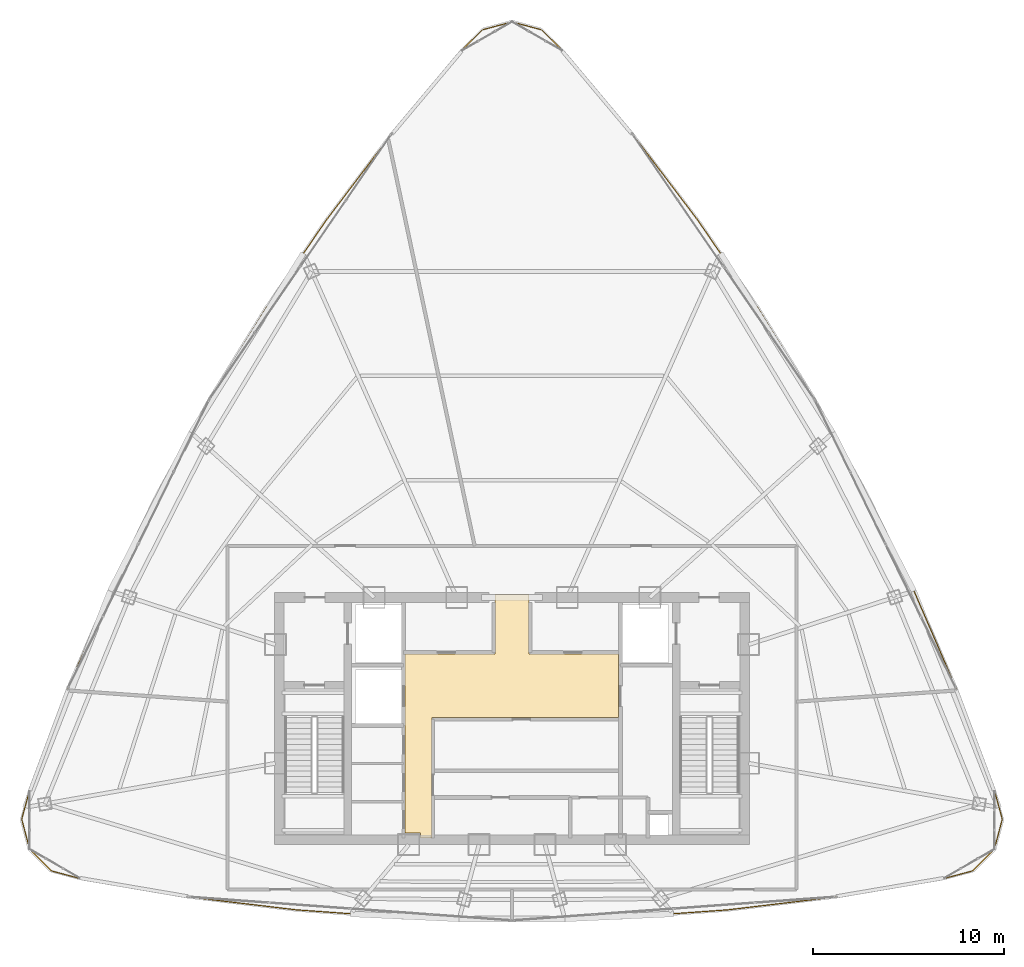
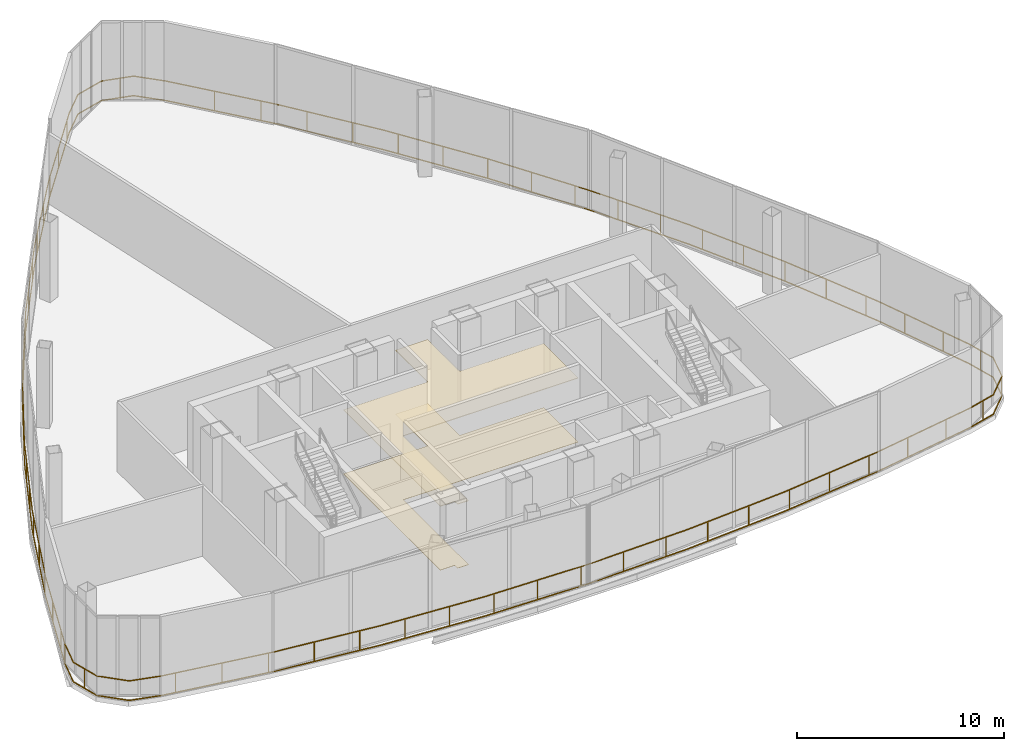
# One storey, part 32 of 33: 2 coverings, 2 railings.
"""IFC4 building model written with IfcOpenShell, lengths in metres."""

from ifc_helpers import new_model, si_unit, direction, frame, origin, origin_2d, place, context, subcontext, project, spatial, polyline, rectangle, outline, extrude, material, layer, layer_set, type_object, element, save


model = new_model("IFC4")

# Units and contexts
model_context = context("Model", 3, precision=1e-05, world=origin(), true_north=direction((0.0, 1.0)))
body_context = subcontext(model_context, "Body", "Model", "MODEL_VIEW")
ifc_project = project(units=[si_unit("LENGTHUNIT", "METRE"), si_unit("AREAUNIT", "SQUARE_METRE"), si_unit("VOLUMEUNIT", "CUBIC_METRE"), si_unit("PLANEANGLEUNIT", "RADIAN"), si_unit("MASSUNIT", "GRAM", prefix="KILO"), si_unit("THERMODYNAMICTEMPERATUREUNIT", "KELVIN"), si_unit("POWERUNIT", "WATT")], contexts=[model_context])

# Site, building, storey
site_placement = place(None, origin())
site = spatial("IfcSite", under=ifc_project, at=site_placement, CompositionType="ELEMENT")
building_placement = place(site_placement, origin())
building = spatial("IfcBuilding", under=site, at=building_placement, Name="Yunzhuo Pagoda Commons", CompositionType="ELEMENT")
storey_placement = place(building_placement, frame((0.0, 0.0, 391.760009765625)))
storey = spatial("IfcBuildingStorey", under=building, at=storey_placement, Name="L97", CompositionType="ELEMENT", Elevation=391.760009765625)

# Coverings
ifc_material_1 = material(Name="Micro-perforated metal baffle ceiling")
ifc_layer_1 = layer(ifc_material_1, 0.034912109375)
ifc_layer_set_1 = layer_set([ifc_layer_1], Name="Micro-perforated metal baffle ceiling")
covering_type_1 = type_object("IfcCoveringType", Name="COV-CL3 Ceiling 35", PredefinedType="CEILING", material=ifc_layer_set_1)
covering_1_placement = place(storey_placement, frame((0.0, 0.0, 3.77001953125)))
element("IfcCovering", 1, at=covering_1_placement, inside=storey, type_object=covering_type_1, Name="L97 lift lobby acoustic ceiling", PredefinedType="CEILING", context=body_context, shape_type="SweptSolid", body=[
    extrude(outline(polyline([(43.207763671875, 27.85009765625), (43.201904296875, 27.864013671875), (43.187744140625, 27.8701171875), (42.39990234375, 27.8701171875), (42.39990234375, 33.89990234375), (42.39990234375, 37.25), (47.10009765625, 37.25), (47.10009765625, 40.35009765625), (48.89990234375, 40.35009765625), (48.89990234375, 37.25), (53.580078125, 37.25), (53.580078125, 33.89990234375), (43.820068359375, 33.89990234375), (43.820068359375, 27.60009765625), (43.207763671875, 27.60009765625), (43.207763671875, 27.85009765625)])), origin(), (0.0, 0.0, 1.0), 0.034912109375),
])
ifc_material_2 = material(Name="Resilient acoustic studio flooring")
ifc_layer_2 = layer(ifc_material_2, 0.01806640625)
ifc_layer_set_2 = layer_set([ifc_layer_2], Name="Resilient acoustic studio flooring")
covering_type_2 = type_object("IfcCoveringType", Name="COV-FL3 Flooring 18", PredefinedType="FLOORING", material=ifc_layer_set_2)
covering_2_placement = place(storey_placement, origin())
element("IfcCovering", 2, at=covering_2_placement, inside=storey, type_object=covering_type_2, Name="L97 lift lobby flooring", PredefinedType="FLOORING", context=body_context, shape_type="SweptSolid", body=[
    extrude(outline(polyline([(43.207763671875, 27.85009765625), (43.201904296875, 27.864013671875), (43.187744140625, 27.8701171875), (42.39990234375, 27.8701171875), (42.39990234375, 33.89990234375), (42.39990234375, 37.25), (47.10009765625, 37.25), (47.10009765625, 40.35009765625), (48.89990234375, 40.35009765625), (48.89990234375, 37.25), (53.580078125, 37.25), (53.580078125, 33.89990234375), (43.820068359375, 33.89990234375), (43.820068359375, 27.60009765625), (43.207763671875, 27.60009765625), (43.207763671875, 27.85009765625)])), origin(), (0.0, 0.0, 1.0), 0.01806640625),
])

# Railings
ifc_material_3 = material(Name="Anodized aluminium 6063-T6", Category="aluminium")
railing_type = type_object("IfcRailingType", Name="RL-PRT1 Wind Portal & Refuge Guardrail 1200", PredefinedType="GUARDRAIL", material=ifc_material_3)
railing_1_placement = place(storey_placement, frame((22.740234375, 30.14990234375, 0.0)))
element("IfcRailing", 3, at=railing_1_placement, inside=storey, type_object=railing_type, Name="L97 crown drum perimeter guardrail A", PredefinedType="GUARDRAIL", context=body_context, shape_type="SweptSolid", body=[
    extrude(rectangle(XDim=0.048095703125, YDim=0.048095703125, at=origin_2d()), frame((0.0, 0.0, 1.17578125), z_axis=(-0.264505611158, -0.964384146316, 0.0), x_axis=(0.964384146316, -0.264505611158, 0.0)), (0.0, 0.0, 1.0), 1.621826171875),
    extrude(rectangle(XDim=0.048095703125, YDim=0.048095703125, at=origin_2d()), frame((0.0, 0.0, 0.02392578125), z_axis=(-0.264505611158, -0.964384146316, 0.0), x_axis=(0.964384146316, -0.264505611158, 0.0)), (0.0, 0.0, 1.0), 1.621826171875),
    extrude(rectangle(XDim=0.048095703125, YDim=0.048095703125, at=origin_2d()), frame((-0.428955078125, -1.56396484375, 1.17578125), z_axis=(0.255212982377, -0.966884860584, 0.0), x_axis=(0.966884860584, 0.255212982377, 0.0)), (0.0, 0.0, 1.0), 1.61962890625),
    extrude(rectangle(XDim=0.048095703125, YDim=0.048095703125, at=origin_2d()), frame((-0.428955078125, -1.56396484375, 0.02392578125), z_axis=(0.255212982377, -0.966884860584, 0.0), x_axis=(0.966884860584, 0.255212982377, 0.0)), (0.0, 0.0, 1.0), 1.61962890625),
    extrude(rectangle(XDim=0.048095703125, YDim=0.048095703125, at=origin_2d()), frame((-0.015625, -3.1298828125, 1.17578125), z_axis=(0.706428067739, -0.707784843798, 0.0), x_axis=(0.707784843798, 0.706428067739, 0.0)), (0.0, 0.0, 1.0), 1.619384765625),
    extrude(rectangle(XDim=0.048095703125, YDim=0.048095703125, at=origin_2d()), frame((-0.015625, -3.1298828125, 0.02392578125), z_axis=(0.706428067739, -0.707784843798, 0.0), x_axis=(0.707784843798, 0.706428067739, 0.0)), (0.0, 0.0, 1.0), 1.619384765625),
    extrude(rectangle(XDim=0.048095703125, YDim=0.048095703125, at=origin_2d()), frame((1.12841796875, -4.276123046875, 1.17578125), z_axis=(0.966204944096, -0.257775107417, 0.0), x_axis=(0.257775107417, 0.966204944096, 0.0)), (0.0, 0.0, 1.0), 1.621337890625),
    extrude(rectangle(XDim=0.048095703125, YDim=0.048095703125, at=origin_2d()), frame((1.12841796875, -4.276123046875, 0.02392578125), z_axis=(0.966204944096, -0.257775107417, 0.0), x_axis=(0.257775107417, 0.966204944096, 0.0)), (0.0, 0.0, 1.0), 1.621337890625),
    extrude(rectangle(XDim=0.048095703125, YDim=0.048095703125, at=origin_2d()), frame((2.695068359375, -4.694091796875, 1.17578125), z_axis=(0.986119654953, -0.166036219285, 0.0), x_axis=(0.166036219285, 0.986119654953, 0.0)), (0.0, 0.0, 1.0), 5.730224609375),
    extrude(rectangle(XDim=0.048095703125, YDim=0.048095703125, at=origin_2d()), frame((2.695068359375, -4.694091796875, 0.02392578125), z_axis=(0.986119654953, -0.166036219285, 0.0), x_axis=(0.166036219285, 0.986119654953, 0.0)), (0.0, 0.0, 1.0), 5.730224609375),
    extrude(rectangle(XDim=0.048095703125, YDim=0.048095703125, at=origin_2d()), frame((8.345703125, -5.6455078125, 1.17578125), z_axis=(0.992925120312, -0.1187421806, 0.0), x_axis=(0.1187421806, 0.992925120312, 0.0)), (0.0, 0.0, 1.0), 5.68505859375),
    extrude(rectangle(XDim=0.048095703125, YDim=0.048095703125, at=origin_2d()), frame((8.345703125, -5.6455078125, 0.02392578125), z_axis=(0.992925120312, -0.1187421806, 0.0), x_axis=(0.1187421806, 0.992925120312, 0.0)), (0.0, 0.0, 1.0), 5.68505859375),
    extrude(rectangle(XDim=0.048095703125, YDim=0.048095703125, at=origin_2d()), frame((13.990478515625, -6.320556640625, 1.17578125), z_axis=(0.997465930761, -0.071145744574, 0.0), x_axis=(0.071145744574, 0.997465930761, 0.0)), (0.0, 0.0, 1.0), 5.65185546875),
    extrude(rectangle(XDim=0.048095703125, YDim=0.048095703125, at=origin_2d()), frame((13.990478515625, -6.320556640625, 0.02392578125), z_axis=(0.997465930761, -0.071145744574, 0.0), x_axis=(0.071145744574, 0.997465930761, 0.0)), (0.0, 0.0, 1.0), 5.65185546875),
    extrude(rectangle(XDim=0.048095703125, YDim=0.048095703125, at=origin_2d()), frame((19.6279296875, -6.72265625, 1.17578125), z_axis=(0.999720003261, -0.023662524787, 0.0), x_axis=(0.023662524787, 0.999720003261, 0.0)), (0.0, 0.0, 1.0), 5.63330078125),
    extrude(rectangle(XDim=0.048095703125, YDim=0.048095703125, at=origin_2d()), frame((19.6279296875, -6.72265625, 0.02392578125), z_axis=(0.999720003261, -0.023662524787, 0.0), x_axis=(0.023662524787, 0.999720003261, 0.0)), (0.0, 0.0, 1.0), 5.63330078125),
    extrude(rectangle(XDim=0.048095703125, YDim=0.048095703125, at=origin_2d()), frame((25.259765625, -6.85595703125, 1.17578125), z_axis=(0.999719978994, 0.02366355003, 0.0), x_axis=(-0.02366355003, 0.999719978994, 0.0)), (0.0, 0.0, 1.0), 5.633056640625),
    extrude(rectangle(XDim=0.048095703125, YDim=0.048095703125, at=origin_2d()), frame((25.259765625, -6.85595703125, 0.02392578125), z_axis=(0.999719978994, 0.02366355003, 0.0), x_axis=(-0.02366355003, 0.999719978994, 0.0)), (0.0, 0.0, 1.0), 5.633056640625),
    extrude(rectangle(XDim=0.048095703125, YDim=0.048095703125, at=origin_2d()), frame((30.891357421875, -6.72265625, 1.17578125), z_axis=(0.997466149399, 0.071142679199, 0.0), x_axis=(-0.071142679199, 0.997466149399, 0.0)), (0.0, 0.0, 1.0), 5.652099609375),
    extrude(rectangle(XDim=0.048095703125, YDim=0.048095703125, at=origin_2d()), frame((30.891357421875, -6.72265625, 0.02392578125), z_axis=(0.997466149399, 0.071142679199, 0.0), x_axis=(-0.071142679199, 0.997466149399, 0.0)), (0.0, 0.0, 1.0), 5.652099609375),
    extrude(rectangle(XDim=0.048095703125, YDim=0.048095703125, at=origin_2d()), frame((36.529052734375, -6.320556640625, 1.17578125), z_axis=(0.992925120312, 0.1187421806, 0.0), x_axis=(-0.1187421806, 0.992925120312, 0.0)), (0.0, 0.0, 1.0), 5.68505859375),
    extrude(rectangle(XDim=0.048095703125, YDim=0.048095703125, at=origin_2d()), frame((36.529052734375, -6.320556640625, 0.02392578125), z_axis=(0.992925120312, 0.1187421806, 0.0), x_axis=(-0.1187421806, 0.992925120312, 0.0)), (0.0, 0.0, 1.0), 5.68505859375),
    extrude(rectangle(XDim=0.048095703125, YDim=0.048095703125, at=origin_2d()), frame((42.173828125, -5.6455078125, 1.17578125), z_axis=(0.986119654953, 0.166036219285, 0.0), x_axis=(-0.166036219285, 0.986119654953, 0.0)), (0.0, 0.0, 1.0), 5.730224609375),
    extrude(rectangle(XDim=0.048095703125, YDim=0.048095703125, at=origin_2d()), frame((42.173828125, -5.6455078125, 0.02392578125), z_axis=(0.986119654953, 0.166036219285, 0.0), x_axis=(-0.166036219285, 0.986119654953, 0.0)), (0.0, 0.0, 1.0), 5.730224609375),
    extrude(rectangle(XDim=0.048095703125, YDim=0.048095703125, at=origin_2d()), frame((47.824462890625, -4.694091796875, 1.17578125), z_axis=(0.966204944096, 0.257775107417, 0.0), x_axis=(-0.257775107417, 0.966204944096, 0.0)), (0.0, 0.0, 1.0), 1.621337890625),
    extrude(rectangle(XDim=0.048095703125, YDim=0.048095703125, at=origin_2d()), frame((47.824462890625, -4.694091796875, 0.02392578125), z_axis=(0.966204944096, 0.257775107417, 0.0), x_axis=(-0.257775107417, 0.966204944096, 0.0)), (0.0, 0.0, 1.0), 1.621337890625),
    extrude(rectangle(XDim=0.048095703125, YDim=0.048095703125, at=origin_2d()), frame((49.39111328125, -4.276123046875, 1.17578125), z_axis=(0.706428067739, 0.707784843798, 0.0), x_axis=(-0.707784843798, 0.706428067739, 0.0)), (0.0, 0.0, 1.0), 1.619384765625),
    extrude(rectangle(XDim=0.048095703125, YDim=0.048095703125, at=origin_2d()), frame((49.39111328125, -4.276123046875, 0.02392578125), z_axis=(0.706428067739, 0.707784843798, 0.0), x_axis=(-0.707784843798, 0.706428067739, 0.0)), (0.0, 0.0, 1.0), 1.619384765625),
    extrude(rectangle(XDim=0.048095703125, YDim=0.048095703125, at=origin_2d()), frame((50.53515625, -3.1298828125, 1.17578125), z_axis=(0.255212982377, 0.966884860584, 0.0), x_axis=(-0.966884860584, 0.255212982377, 0.0)), (0.0, 0.0, 1.0), 1.61962890625),
    extrude(rectangle(XDim=0.048095703125, YDim=0.048095703125, at=origin_2d()), frame((50.53515625, -3.1298828125, 0.02392578125), z_axis=(0.255212982377, 0.966884860584, 0.0), x_axis=(-0.966884860584, 0.255212982377, 0.0)), (0.0, 0.0, 1.0), 1.61962890625),
    extrude(rectangle(XDim=0.048095703125, YDim=0.048095703125, at=origin_2d()), frame((50.948486328125, -1.56396484375, 1.17578125), z_axis=(-0.264505611158, 0.964384146316, 0.0), x_axis=(-0.964384146316, -0.264505611158, 0.0)), (0.0, 0.0, 1.0), 1.621826171875),
    extrude(rectangle(XDim=0.048095703125, YDim=0.048095703125, at=origin_2d()), frame((50.948486328125, -1.56396484375, 0.02392578125), z_axis=(-0.264505611158, 0.964384146316, 0.0), x_axis=(-0.964384146316, -0.264505611158, 0.0)), (0.0, 0.0, 1.0), 1.621826171875),
    extrude(rectangle(XDim=0.048095703125, YDim=0.048095703125, at=origin_2d()), frame((50.51953125, 0.0, 1.17578125), z_axis=(-0.352445708471, 0.935832261989, 0.0), x_axis=(-0.935832261989, -0.352445708471, 0.0)), (0.0, 0.0, 1.0), 5.684326171875),
    extrude(rectangle(XDim=0.048095703125, YDim=0.048095703125, at=origin_2d()), frame((50.51953125, 0.0, 0.02392578125), z_axis=(-0.352445708471, 0.935832261989, 0.0), x_axis=(-0.935832261989, -0.352445708471, 0.0)), (0.0, 0.0, 1.0), 5.684326171875),
    extrude(rectangle(XDim=0.048095703125, YDim=0.048095703125, at=origin_2d()), frame((48.51611328125, 5.319580078125, 1.17578125), z_axis=(-0.397088580281, 0.917780289291, 0.0), x_axis=(-0.917780289291, -0.397088580281, 0.0)), (0.0, 0.0, 1.0), 5.63916015625),
    extrude(rectangle(XDim=0.048095703125, YDim=0.048095703125, at=origin_2d()), frame((48.51611328125, 5.319580078125, 0.02392578125), z_axis=(-0.397088580281, 0.917780289291, 0.0), x_axis=(-0.917780289291, -0.397088580281, 0.0)), (0.0, 0.0, 1.0), 5.63916015625),
    extrude(rectangle(XDim=0.0419921875, YDim=0.0419921875, at=origin_2d()), origin(), (0.0, 0.0, 1.0), 1.15185546875),
    extrude(rectangle(XDim=0.0419921875, YDim=0.0419921875, at=origin_2d()), frame((-0.230224609375, -2.31640625, 0.0)), (0.0, 0.0, 1.0), 1.15185546875),
    extrude(rectangle(XDim=0.0419921875, YDim=0.0419921875, at=origin_2d()), frame((3.40283203125, -4.813232421875, 0.0)), (0.0, 0.0, 1.0), 1.15185546875),
    extrude(rectangle(XDim=0.0419921875, YDim=0.0419921875, at=origin_2d()), frame((5.76953125, -5.211669921875, 0.0)), (0.0, 0.0, 1.0), 1.15185546875),
    extrude(rectangle(XDim=0.0419921875, YDim=0.0419921875, at=origin_2d()), frame((8.13623046875, -5.6103515625, 0.0)), (0.0, 0.0, 1.0), 1.15185546875),
    extrude(rectangle(XDim=0.0419921875, YDim=0.0419921875, at=origin_2d()), frame((10.517822265625, -5.9052734375, 0.0)), (0.0, 0.0, 1.0), 1.15185546875),
    extrude(rectangle(XDim=0.0419921875, YDim=0.0419921875, at=origin_2d()), frame((12.90087890625, -6.190185546875, 0.0)), (0.0, 0.0, 1.0), 1.15185546875),
    extrude(rectangle(XDim=0.0419921875, YDim=0.0419921875, at=origin_2d()), frame((15.289794921875, -6.413330078125, 0.0)), (0.0, 0.0, 1.0), 1.15185546875),
    extrude(rectangle(XDim=0.0419921875, YDim=0.0419921875, at=origin_2d()), frame((17.683837890625, -6.583984375, 0.0)), (0.0, 0.0, 1.0), 1.15185546875),
    extrude(rectangle(XDim=0.0419921875, YDim=0.0419921875, at=origin_2d()), frame((20.07861328125, -6.7333984375, 0.0)), (0.0, 0.0, 1.0), 1.15185546875),
    extrude(rectangle(XDim=0.0419921875, YDim=0.0419921875, at=origin_2d()), frame((22.47802734375, -6.7900390625, 0.0)), (0.0, 0.0, 1.0), 1.15185546875),
    extrude(rectangle(XDim=0.0419921875, YDim=0.0419921875, at=origin_2d()), frame((24.87744140625, -6.846923828125, 0.0)), (0.0, 0.0, 1.0), 1.15185546875),
    extrude(rectangle(XDim=0.0419921875, YDim=0.0419921875, at=origin_2d()), frame((27.276611328125, -6.80810546875, 0.0)), (0.0, 0.0, 1.0), 1.15185546875),
    extrude(rectangle(XDim=0.0419921875, YDim=0.0419921875, at=origin_2d()), frame((29.676025390625, -6.75146484375, 0.0)), (0.0, 0.0, 1.0), 1.15185546875),
    extrude(rectangle(XDim=0.0419921875, YDim=0.0419921875, at=origin_2d()), frame((32.07275390625, -6.638427734375, 0.0)), (0.0, 0.0, 1.0), 1.15185546875),
    extrude(rectangle(XDim=0.0419921875, YDim=0.0419921875, at=origin_2d()), frame((34.466552734375, -6.4677734375, 0.0)), (0.0, 0.0, 1.0), 1.15185546875),
    extrude(rectangle(XDim=0.0419921875, YDim=0.0419921875, at=origin_2d()), frame((36.85888671875, -6.281005859375, 0.0)), (0.0, 0.0, 1.0), 1.15185546875),
    extrude(rectangle(XDim=0.0419921875, YDim=0.0419921875, at=origin_2d()), frame((39.241943359375, -5.99609375, 0.0)), (0.0, 0.0, 1.0), 1.15185546875),
    extrude(rectangle(XDim=0.0419921875, YDim=0.0419921875, at=origin_2d()), frame((41.625, -5.711181640625, 0.0)), (0.0, 0.0, 1.0), 1.15185546875),
    extrude(rectangle(XDim=0.0419921875, YDim=0.0419921875, at=origin_2d()), frame((43.995361328125, -5.3388671875, 0.0)), (0.0, 0.0, 1.0), 1.15185546875),
    extrude(rectangle(XDim=0.0419921875, YDim=0.0419921875, at=origin_2d()), frame((46.362060546875, -4.940185546875, 0.0)), (0.0, 0.0, 1.0), 1.15185546875),
    extrude(rectangle(XDim=0.0419921875, YDim=0.0419921875, at=origin_2d()), frame((48.71044921875, -4.457763671875, 0.0)), (0.0, 0.0, 1.0), 1.15185546875),
    extrude(rectangle(XDim=0.0419921875, YDim=0.0419921875, at=origin_2d()), frame((50.5546875, -3.05615234375, 0.0)), (0.0, 0.0, 1.0), 1.15185546875),
    extrude(rectangle(XDim=0.0419921875, YDim=0.0419921875, at=origin_2d()), frame((50.721923828125, -0.73779296875, 0.0)), (0.0, 0.0, 1.0), 1.15185546875),
    extrude(rectangle(XDim=0.0419921875, YDim=0.0419921875, at=origin_2d()), frame((49.943359375, 1.530029296875, 0.0)), (0.0, 0.0, 1.0), 1.15185546875),
    extrude(rectangle(XDim=0.0419921875, YDim=0.0419921875, at=origin_2d()), frame((49.097412109375, 3.77587890625, 0.0)), (0.0, 0.0, 1.0), 1.15185546875),
    extrude(rectangle(XDim=0.0419921875, YDim=0.0419921875, at=origin_2d()), frame((48.218017578125, 6.008544921875, 0.0)), (0.0, 0.0, 1.0), 1.15185546875),
    extrude(rectangle(XDim=0.0419921875, YDim=0.0419921875, at=origin_2d()), frame((47.26513671875, 8.211181640625, 0.0)), (0.0, 0.0, 1.0), 1.15185546875),
    extrude(rectangle(XDim=0.0419921875, YDim=0.0419921875, at=origin_2d()), frame((46.27685546875, 10.4951171875, 0.0)), (0.0, 0.0, 1.0), 1.15185546875),
])
railing_2_placement = place(storey_placement, frame((69.01708984375, 40.64501953125, 0.0)))
element("IfcRailing", 4, at=railing_2_placement, inside=storey, type_object=railing_type, Name="L97 crown drum perimeter guardrail B", PredefinedType="GUARDRAIL", context=body_context, shape_type="SweptSolid", body=[
    extrude(rectangle(XDim=0.048095703125, YDim=0.048095703125, at=origin_2d()), frame((0.0, 0.0, 1.17578125), z_axis=(-0.440861408543, 0.897575188192, 0.0), x_axis=(-0.897575188192, -0.440861408543, 0.0)), (0.0, 0.0, 1.0), 5.60595703125),
    extrude(rectangle(XDim=0.048095703125, YDim=0.048095703125, at=origin_2d()), frame((0.0, 0.0, 0.02392578125), z_axis=(-0.440861408543, 0.897575188192, 0.0), x_axis=(-0.897575188192, -0.440861408543, 0.0)), (0.0, 0.0, 1.0), 5.60595703125),
    extrude(rectangle(XDim=0.048095703125, YDim=0.048095703125, at=origin_2d()), frame((-2.471435546875, 5.03173828125, 1.17578125), z_axis=(-0.483404209544, 0.875397264215, 0.0), x_axis=(-0.875397264215, -0.483404209544, 0.0)), (0.0, 0.0, 1.0), 5.58740234375),
    extrude(rectangle(XDim=0.048095703125, YDim=0.048095703125, at=origin_2d()), frame((-2.471435546875, 5.03173828125, 0.02392578125), z_axis=(-0.483404209544, 0.875397264215, 0.0), x_axis=(-0.875397264215, -0.483404209544, 0.0)), (0.0, 0.0, 1.0), 5.58740234375),
    extrude(rectangle(XDim=0.048095703125, YDim=0.048095703125, at=origin_2d()), frame((-5.17236328125, 9.9228515625, 1.17578125), z_axis=(-0.524619058666, 0.851337091453, 0.0), x_axis=(-0.851337091453, -0.524619058666, 0.0)), (0.0, 0.0, 1.0), 5.587158203125),
    extrude(rectangle(XDim=0.048095703125, YDim=0.048095703125, at=origin_2d()), frame((-5.17236328125, 9.9228515625, 0.02392578125), z_axis=(-0.524619058666, 0.851337091453, 0.0), x_axis=(-0.851337091453, -0.524619058666, 0.0)), (0.0, 0.0, 1.0), 5.587158203125),
    extrude(rectangle(XDim=0.048095703125, YDim=0.048095703125, at=origin_2d()), frame((-8.103515625, 14.679443359375, 1.17578125), z_axis=(-0.56484003921, 0.825200418144, 0.0), x_axis=(-0.825200418144, -0.56484003921, 0.0)), (0.0, 0.0, 1.0), 5.60546875),
    extrude(rectangle(XDim=0.048095703125, YDim=0.048095703125, at=origin_2d()), frame((-8.103515625, 14.679443359375, 0.02392578125), z_axis=(-0.56484003921, 0.825200418144, 0.0), x_axis=(-0.825200418144, -0.56484003921, 0.0)), (0.0, 0.0, 1.0), 5.60546875),
    extrude(rectangle(XDim=0.048095703125, YDim=0.048095703125, at=origin_2d()), frame((-11.269775390625, 19.30517578125, 1.17578125), z_axis=(-0.603934375004, 0.797034046129, 0.0), x_axis=(-0.797034046129, -0.603934375004, 0.0)), (0.0, 0.0, 1.0), 5.638916015625),
    extrude(rectangle(XDim=0.048095703125, YDim=0.048095703125, at=origin_2d()), frame((-11.269775390625, 19.30517578125, 0.02392578125), z_axis=(-0.603934375004, 0.797034046129, 0.0), x_axis=(-0.797034046129, -0.603934375004, 0.0)), (0.0, 0.0, 1.0), 5.638916015625),
    extrude(rectangle(XDim=0.048095703125, YDim=0.048095703125, at=origin_2d()), frame((-14.67529296875, 23.799560546875, 1.17578125), z_axis=(-0.64156485009, 0.767068799475, 0.0), x_axis=(-0.767068799475, -0.64156485009, 0.0)), (0.0, 0.0, 1.0), 5.68408203125),
    extrude(rectangle(XDim=0.048095703125, YDim=0.048095703125, at=origin_2d()), frame((-14.67529296875, 23.799560546875, 0.02392578125), z_axis=(-0.64156485009, 0.767068799475, 0.0), x_axis=(-0.767068799475, -0.64156485009, 0.0)), (0.0, 0.0, 1.0), 5.68408203125),
    extrude(rectangle(XDim=0.048095703125, YDim=0.048095703125, at=origin_2d()), frame((-18.322021484375, 28.15966796875, 1.17578125), z_axis=(-0.708469655856, 0.70574127464, 0.0), x_axis=(-0.70574127464, -0.708469655856, 0.0)), (0.0, 0.0, 1.0), 1.610595703125),
    extrude(rectangle(XDim=0.048095703125, YDim=0.048095703125, at=origin_2d()), frame((-18.322021484375, 28.15966796875, 0.02392578125), z_axis=(-0.708469655856, 0.70574127464, 0.0), x_axis=(-0.70574127464, -0.708469655856, 0.0)), (0.0, 0.0, 1.0), 1.610595703125),
    extrude(rectangle(XDim=0.048095703125, YDim=0.048095703125, at=origin_2d()), frame((-19.463134765625, 29.29638671875, 1.17578125), z_axis=(-0.965982586194, 0.258607121268, 0.0), x_axis=(-0.258607121268, -0.965982586194, 0.0)), (0.0, 0.0, 1.0), 1.608642578125),
    extrude(rectangle(XDim=0.048095703125, YDim=0.048095703125, at=origin_2d()), frame((-19.463134765625, 29.29638671875, 0.02392578125), z_axis=(-0.965982586194, 0.258607121268, 0.0), x_axis=(-0.258607121268, -0.965982586194, 0.0)), (0.0, 0.0, 1.0), 1.608642578125),
    extrude(rectangle(XDim=0.048095703125, YDim=0.048095703125, at=origin_2d()), frame((-21.01708984375, 29.71240234375, 1.17578125), z_axis=(-0.965982586194, -0.258607121268, 0.0), x_axis=(0.258607121268, -0.965982586194, 0.0)), (0.0, 0.0, 1.0), 1.608642578125),
    extrude(rectangle(XDim=0.048095703125, YDim=0.048095703125, at=origin_2d()), frame((-21.01708984375, 29.71240234375, 0.02392578125), z_axis=(-0.965982586194, -0.258607121268, 0.0), x_axis=(0.258607121268, -0.965982586194, 0.0)), (0.0, 0.0, 1.0), 1.608642578125),
    extrude(rectangle(XDim=0.048095703125, YDim=0.048095703125, at=origin_2d()), frame((-22.571044921875, 29.29638671875, 1.17578125), z_axis=(-0.708469655856, -0.70574127464, 0.0), x_axis=(0.70574127464, -0.708469655856, 0.0)), (0.0, 0.0, 1.0), 1.610595703125),
    extrude(rectangle(XDim=0.048095703125, YDim=0.048095703125, at=origin_2d()), frame((-22.571044921875, 29.29638671875, 0.02392578125), z_axis=(-0.708469655856, -0.70574127464, 0.0), x_axis=(0.70574127464, -0.708469655856, 0.0)), (0.0, 0.0, 1.0), 1.610595703125),
    extrude(rectangle(XDim=0.048095703125, YDim=0.048095703125, at=origin_2d()), frame((-23.712158203125, 28.15966796875, 1.17578125), z_axis=(-0.64156485009, -0.767068799475, 0.0), x_axis=(0.767068799475, -0.64156485009, 0.0)), (0.0, 0.0, 1.0), 5.68408203125),
    extrude(rectangle(XDim=0.048095703125, YDim=0.048095703125, at=origin_2d()), frame((-23.712158203125, 28.15966796875, 0.02392578125), z_axis=(-0.64156485009, -0.767068799475, 0.0), x_axis=(0.767068799475, -0.64156485009, 0.0)), (0.0, 0.0, 1.0), 5.68408203125),
    extrude(rectangle(XDim=0.048095703125, YDim=0.048095703125, at=origin_2d()), frame((-27.35888671875, 23.799560546875, 1.17578125), z_axis=(-0.603934375004, -0.797034046129, 0.0), x_axis=(0.797034046129, -0.603934375004, 0.0)), (0.0, 0.0, 1.0), 5.638916015625),
    extrude(rectangle(XDim=0.048095703125, YDim=0.048095703125, at=origin_2d()), frame((-27.35888671875, 23.799560546875, 0.02392578125), z_axis=(-0.603934375004, -0.797034046129, 0.0), x_axis=(0.797034046129, -0.603934375004, 0.0)), (0.0, 0.0, 1.0), 5.638916015625),
    extrude(rectangle(XDim=0.048095703125, YDim=0.048095703125, at=origin_2d()), frame((-30.764404296875, 19.30517578125, 1.17578125), z_axis=(-0.56484003921, -0.825200418144, 0.0), x_axis=(0.825200418144, -0.56484003921, 0.0)), (0.0, 0.0, 1.0), 5.60546875),
    extrude(rectangle(XDim=0.048095703125, YDim=0.048095703125, at=origin_2d()), frame((-30.764404296875, 19.30517578125, 0.02392578125), z_axis=(-0.56484003921, -0.825200418144, 0.0), x_axis=(0.825200418144, -0.56484003921, 0.0)), (0.0, 0.0, 1.0), 5.60546875),
    extrude(rectangle(XDim=0.048095703125, YDim=0.048095703125, at=origin_2d()), frame((-33.9306640625, 14.679443359375, 1.17578125), z_axis=(-0.524619058666, -0.851337091453, 0.0), x_axis=(0.851337091453, -0.524619058666, 0.0)), (0.0, 0.0, 1.0), 5.587158203125),
    extrude(rectangle(XDim=0.048095703125, YDim=0.048095703125, at=origin_2d()), frame((-33.9306640625, 14.679443359375, 0.02392578125), z_axis=(-0.524619058666, -0.851337091453, 0.0), x_axis=(0.851337091453, -0.524619058666, 0.0)), (0.0, 0.0, 1.0), 5.587158203125),
    extrude(rectangle(XDim=0.048095703125, YDim=0.048095703125, at=origin_2d()), frame((-36.86181640625, 9.9228515625, 1.17578125), z_axis=(-0.483404209544, -0.875397264215, 0.0), x_axis=(0.875397264215, -0.483404209544, 0.0)), (0.0, 0.0, 1.0), 5.58740234375),
    extrude(rectangle(XDim=0.048095703125, YDim=0.048095703125, at=origin_2d()), frame((-36.86181640625, 9.9228515625, 0.02392578125), z_axis=(-0.483404209544, -0.875397264215, 0.0), x_axis=(0.875397264215, -0.483404209544, 0.0)), (0.0, 0.0, 1.0), 5.58740234375),
    extrude(rectangle(XDim=0.048095703125, YDim=0.048095703125, at=origin_2d()), frame((-39.562744140625, 5.03173828125, 1.17578125), z_axis=(-0.440861408543, -0.897575188192, 0.0), x_axis=(0.897575188192, -0.440861408543, 0.0)), (0.0, 0.0, 1.0), 5.60595703125),
    extrude(rectangle(XDim=0.048095703125, YDim=0.048095703125, at=origin_2d()), frame((-39.562744140625, 5.03173828125, 0.02392578125), z_axis=(-0.440861408543, -0.897575188192, 0.0), x_axis=(0.897575188192, -0.440861408543, 0.0)), (0.0, 0.0, 1.0), 5.60595703125),
    extrude(rectangle(XDim=0.048095703125, YDim=0.048095703125, at=origin_2d()), frame((-42.0341796875, 0.0, 1.17578125), z_axis=(-0.397088580281, -0.917780289291, 0.0), x_axis=(0.917780289291, -0.397088580281, 0.0)), (0.0, 0.0, 1.0), 5.63916015625),
    extrude(rectangle(XDim=0.048095703125, YDim=0.048095703125, at=origin_2d()), frame((-42.0341796875, 0.0, 0.02392578125), z_axis=(-0.397088580281, -0.917780289291, 0.0), x_axis=(0.917780289291, -0.397088580281, 0.0)), (0.0, 0.0, 1.0), 5.63916015625),
    extrude(rectangle(XDim=0.048095703125, YDim=0.048095703125, at=origin_2d()), frame((-44.2734375, -5.175537109375, 1.17578125), z_axis=(-0.35245498995, -0.93582876642, 0.0), x_axis=(0.93582876642, -0.35245498995, 0.0)), (0.0, 0.0, 1.0), 5.6044921875),
    extrude(rectangle(XDim=0.048095703125, YDim=0.048095703125, at=origin_2d()), frame((-44.2734375, -5.175537109375, 0.02392578125), z_axis=(-0.35245498995, -0.93582876642, 0.0), x_axis=(0.93582876642, -0.35245498995, 0.0)), (0.0, 0.0, 1.0), 5.6044921875),
    extrude(rectangle(XDim=0.0419921875, YDim=0.0419921875, at=origin_2d()), origin(), (0.0, 0.0, 1.0), 1.15185546875),
    extrude(rectangle(XDim=0.0419921875, YDim=0.0419921875, at=origin_2d()), frame((-1.05810546875, 2.154296875, 0.0)), (0.0, 0.0, 1.0), 1.15185546875),
    extrude(rectangle(XDim=0.0419921875, YDim=0.0419921875, at=origin_2d()), frame((-2.1162109375, 4.308349609375, 0.0)), (0.0, 0.0, 1.0), 1.15185546875),
    extrude(rectangle(XDim=0.0419921875, YDim=0.0419921875, at=origin_2d()), frame((-3.241943359375, 6.42724609375, 0.0)), (0.0, 0.0, 1.0), 1.15185546875),
    extrude(rectangle(XDim=0.0419921875, YDim=0.0419921875, at=origin_2d()), frame((-4.402099609375, 8.528076171875, 0.0)), (0.0, 0.0, 1.0), 1.15185546875),
    extrude(rectangle(XDim=0.0419921875, YDim=0.0419921875, at=origin_2d()), frame((-5.595703125, 10.609619140625, 0.0)), (0.0, 0.0, 1.0), 1.15185546875),
    extrude(rectangle(XDim=0.0419921875, YDim=0.0419921875, at=origin_2d()), frame((-6.854736328125, 12.65283203125, 0.0)), (0.0, 0.0, 1.0), 1.15185546875),
    extrude(rectangle(XDim=0.0419921875, YDim=0.0419921875, at=origin_2d()), frame((-8.114501953125, 14.695556640625, 0.0)), (0.0, 0.0, 1.0), 1.15185546875),
    extrude(rectangle(XDim=0.0419921875, YDim=0.0419921875, at=origin_2d()), frame((-9.47021484375, 16.676025390625, 0.0)), (0.0, 0.0, 1.0), 1.15185546875),
    extrude(rectangle(XDim=0.0419921875, YDim=0.0419921875, at=origin_2d()), frame((-10.82568359375, 18.656494140625, 0.0)), (0.0, 0.0, 1.0), 1.15185546875),
    extrude(rectangle(XDim=0.0419921875, YDim=0.0419921875, at=origin_2d()), frame((-12.24462890625, 20.591552734375, 0.0)), (0.0, 0.0, 1.0), 1.15185546875),
    extrude(rectangle(XDim=0.0419921875, YDim=0.0419921875, at=origin_2d()), frame((-13.69384765625, 22.50439453125, 0.0)), (0.0, 0.0, 1.0), 1.15185546875),
    extrude(rectangle(XDim=0.0419921875, YDim=0.0419921875, at=origin_2d()), frame((-15.172607421875, 24.39404296875, 0.0)), (0.0, 0.0, 1.0), 1.15185546875),
    extrude(rectangle(XDim=0.0419921875, YDim=0.0419921875, at=origin_2d()), frame((-16.71240234375, 26.235107421875, 0.0)), (0.0, 0.0, 1.0), 1.15185546875),
    extrude(rectangle(XDim=0.0419921875, YDim=0.0419921875, at=origin_2d()), frame((-20.120361328125, 29.472412109375, 0.0)), (0.0, 0.0, 1.0), 1.15185546875),
    extrude(rectangle(XDim=0.0419921875, YDim=0.0419921875, at=origin_2d()), frame((-24.130615234375, 27.659423828125, 0.0)), (0.0, 0.0, 1.0), 1.15185546875),
    extrude(rectangle(XDim=0.0419921875, YDim=0.0419921875, at=origin_2d()), frame((-25.67041015625, 25.818359375, 0.0)), (0.0, 0.0, 1.0), 1.15185546875),
    extrude(rectangle(XDim=0.0419921875, YDim=0.0419921875, at=origin_2d()), frame((-27.210205078125, 23.977294921875, 0.0)), (0.0, 0.0, 1.0), 1.15185546875),
    extrude(rectangle(XDim=0.0419921875, YDim=0.0419921875, at=origin_2d()), frame((-28.668212890625, 22.071533203125, 0.0)), (0.0, 0.0, 1.0), 1.15185546875),
    extrude(rectangle(XDim=0.0419921875, YDim=0.0419921875, at=origin_2d()), frame((-30.11767578125, 20.15869140625, 0.0)), (0.0, 0.0, 1.0), 1.15185546875),
    extrude(rectangle(XDim=0.0419921875, YDim=0.0419921875, at=origin_2d()), frame((-31.51513671875, 18.208251953125, 0.0)), (0.0, 0.0, 1.0), 1.15185546875),
    extrude(rectangle(XDim=0.0419921875, YDim=0.0419921875, at=origin_2d()), frame((-32.870849609375, 16.227783203125, 0.0)), (0.0, 0.0, 1.0), 1.15185546875),
    extrude(rectangle(XDim=0.0419921875, YDim=0.0419921875, at=origin_2d()), frame((-34.205322265625, 14.233642578125, 0.0)), (0.0, 0.0, 1.0), 1.15185546875),
    extrude(rectangle(XDim=0.0419921875, YDim=0.0419921875, at=origin_2d()), frame((-35.464599609375, 12.1904296875, 0.0)), (0.0, 0.0, 1.0), 1.15185546875),
    extrude(rectangle(XDim=0.0419921875, YDim=0.0419921875, at=origin_2d()), frame((-36.7236328125, 10.147216796875, 0.0)), (0.0, 0.0, 1.0), 1.15185546875),
    extrude(rectangle(XDim=0.0419921875, YDim=0.0419921875, at=origin_2d()), frame((-37.89453125, 8.052490234375, 0.0)), (0.0, 0.0, 1.0), 1.15185546875),
    extrude(rectangle(XDim=0.0419921875, YDim=0.0419921875, at=origin_2d()), frame((-39.0546875, 5.95166015625, 0.0)), (0.0, 0.0, 1.0), 1.15185546875),
    extrude(rectangle(XDim=0.0419921875, YDim=0.0419921875, at=origin_2d()), frame((-40.157470703125, 3.82080078125, 0.0)), (0.0, 0.0, 1.0), 1.15185546875),
    extrude(rectangle(XDim=0.0419921875, YDim=0.0419921875, at=origin_2d()), frame((-41.215576171875, 1.66650390625, 0.0)), (0.0, 0.0, 1.0), 1.15185546875),
    extrude(rectangle(XDim=0.0419921875, YDim=0.0419921875, at=origin_2d()), frame((-42.25, -0.49853515625, 0.0)), (0.0, 0.0, 1.0), 1.15185546875),
    extrude(rectangle(XDim=0.0419921875, YDim=0.0419921875, at=origin_2d()), frame((-43.202880859375, -2.701171875, 0.0)), (0.0, 0.0, 1.0), 1.15185546875),
    extrude(rectangle(XDim=0.0419921875, YDim=0.0419921875, at=origin_2d()), frame((-44.156005859375, -4.904052734375, 0.0)), (0.0, 0.0, 1.0), 1.15185546875),
    extrude(rectangle(XDim=0.0419921875, YDim=0.0419921875, at=origin_2d()), frame((-45.01513671875, -7.14453125, 0.0)), (0.0, 0.0, 1.0), 1.15185546875),
    extrude(rectangle(XDim=0.0419921875, YDim=0.0419921875, at=origin_2d()), frame((-45.86083984375, -9.390625, 0.0)), (0.0, 0.0, 1.0), 1.15185546875),
    extrude(rectangle(XDim=0.0419921875, YDim=0.0419921875, at=origin_2d()), frame((-46.248779296875, -10.42041015625, 0.0)), (0.0, 0.0, 1.0), 1.15185546875),
])

save(model, "model.ifc")
